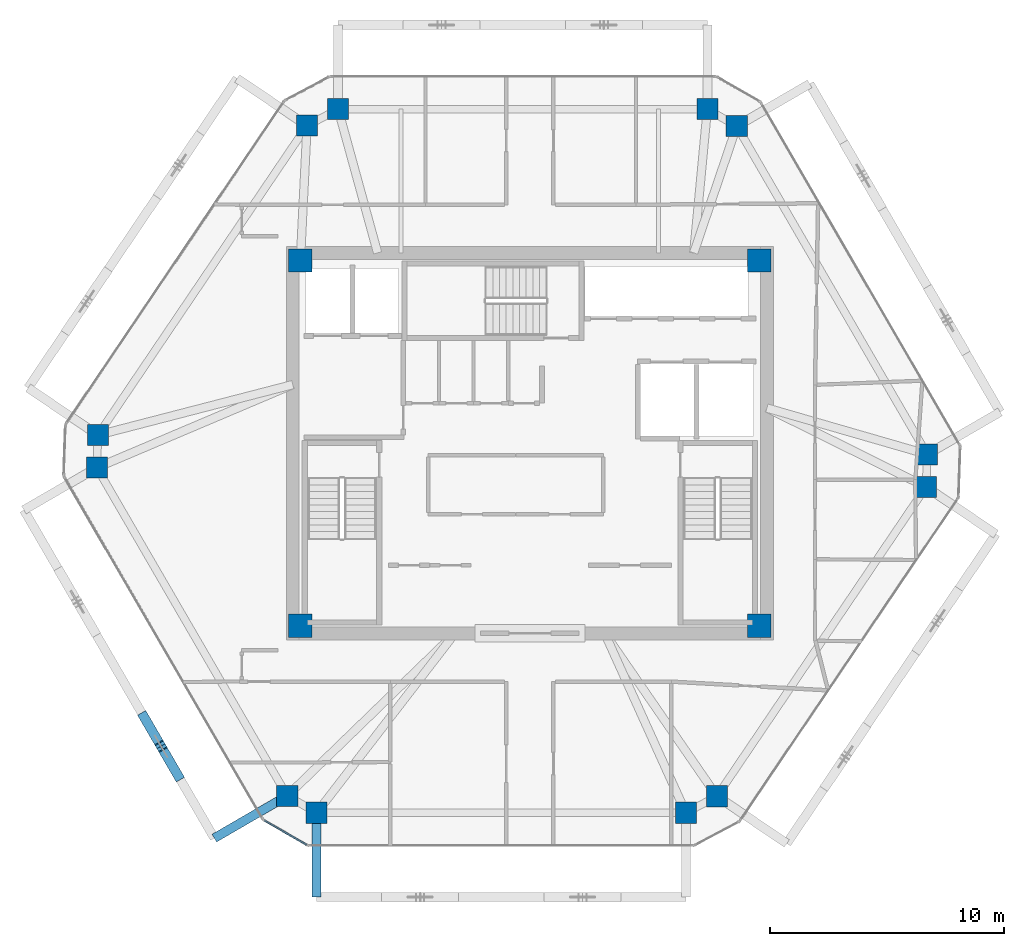
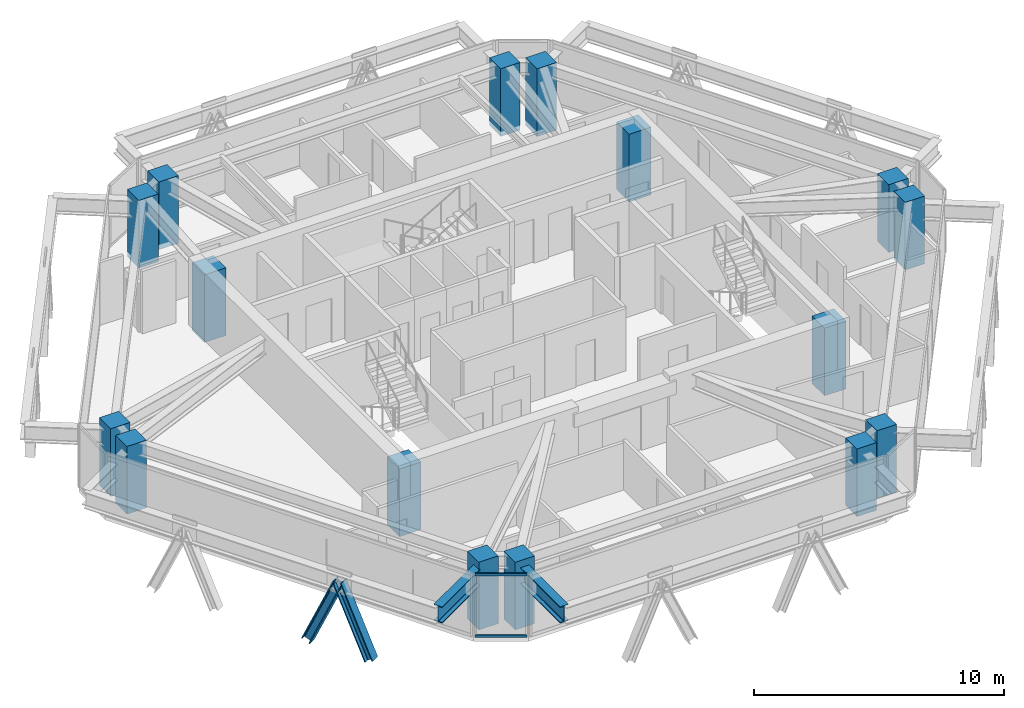
# One storey, part 1 of 13: 16 columns, 4 members, 2 beams, 1 element without a shape of its own.
"""IFC4 building model written with IfcOpenShell, lengths in metres."""

import ifcopenshell
import ifcopenshell.guid

model = None  # the IFC model being written
_history = None  # IfcOwnerHistory: only IFC2X3 demands one
_inside = {}  # id of a spatial element -> (the spatial element, [elements in it])
_under = {}  # id of a project, library or spatial element -> (it, [spatial elements below it])
_declared = {}  # id of a project -> (the project, [libraries it declares])
_typed = {}  # id of a type object -> (the type object, [elements of that type])
_made_of = {}  # id of a material, layer set ... -> (it, [elements and type objects made of it])


def new_model(schema):
    """Start an empty IFC model of exactly this schema.

    Asked for "IFC4X3", IfcOpenShell would pick the latest addendum, in which some entities
    have other attributes; the version numbers below select the first issue.
    IFC2X3 requires an IfcOwnerHistory on every rooted entity: one is made here for all.
    """
    global model, _history
    if schema == "IFC4X3":
        model = ifcopenshell.file(schema_version=(4, 3, 0, 0))
    else:
        model = ifcopenshell.file(schema=schema)
    _inside.clear()
    _under.clear()
    _declared.clear()
    _typed.clear()
    _made_of.clear()
    _history = None
    if model.schema == "IFC2X3":
        org = make("IfcOrganization", Name="unknown")
        user = make(
            "IfcPersonAndOrganization",
            ThePerson=make("IfcPerson", FamilyName="unknown"),
            TheOrganization=org,
        )
        app = make(
            "IfcApplication",
            ApplicationDeveloper=org,
            Version="unknown",
            ApplicationFullName="unknown",
            ApplicationIdentifier="unknown",
        )
        _history = make(
            "IfcOwnerHistory",
            OwningUser=user,
            OwningApplication=app,
            ChangeAction="ADDED",
            CreationDate=0,
        )
    return model


def make(cls, **values):
    """One entity of the class cls with the attributes given. An attribute that is None is left unset."""
    return model.create_entity(
        cls, **{name: value for name, value in values.items() if value is not None}
    )


def rooted(cls, **values):
    """An entity with a GlobalId (a new one), such as an element, a storey or a relation."""
    return make(cls, GlobalId=ifcopenshell.guid.new(), OwnerHistory=_history, **values)


def si_unit(unit_type, name, prefix=None):
    """IfcSIUnit, for example si_unit("LENGTHUNIT", "METRE", prefix="MILLI")."""
    return make("IfcSIUnit", UnitType=unit_type, Prefix=prefix, Name=name)


def assignment(units):
    """IfcUnitAssignment: the units of a project."""
    return None if units is None else make("IfcUnitAssignment", Units=units)


def point(xyz):
    """IfcCartesianPoint."""
    return None if xyz is None else make("IfcCartesianPoint", Coordinates=xyz)


def direction(xyz):
    """IfcDirection."""
    return None if xyz is None else make("IfcDirection", DirectionRatios=xyz)


def frame(location, z_axis=None, x_axis=None):
    """IfcAxis2Placement3D, a coordinate frame: its origin and axes. An axis left out is left unset."""
    return make(
        "IfcAxis2Placement3D",
        Location=point(location),
        Axis=direction(z_axis),
        RefDirection=direction(x_axis),
    )


def frame_2d(location, x_axis=None):
    """IfcAxis2Placement2D, a coordinate frame in the plane: its origin and x axis."""
    return make(
        "IfcAxis2Placement2D", Location=point(location), RefDirection=direction(x_axis)
    )


def origin():
    """The frame at (0, 0, 0) with its axes left unset."""
    return frame((0.0, 0.0, 0.0))


def origin_2d():
    """The frame at (0, 0) in the plane with its x axis left unset."""
    return frame_2d((0.0, 0.0))


def place(relative_to, where):
    """IfcLocalPlacement: puts the frame where relative to a parent placement (None: the world)."""
    return make(
        "IfcLocalPlacement", PlacementRelTo=relative_to, RelativePlacement=where
    )


def context(
    kind, dimensions, precision=None, world=None, true_north=None, identifier=None
):
    """IfcGeometricRepresentationContext, for example the 3D "Model" context."""
    return make(
        "IfcGeometricRepresentationContext",
        ContextIdentifier=identifier,
        ContextType=kind,
        CoordinateSpaceDimension=dimensions,
        Precision=precision,
        WorldCoordinateSystem=world,
        TrueNorth=true_north,
    )


def subcontext(parent, identifier, kind, view, scale=None):
    """IfcGeometricRepresentationSubContext, for example "Body" below "Model"."""
    return make(
        "IfcGeometricRepresentationSubContext",
        ContextIdentifier=identifier,
        ContextType=kind,
        ParentContext=parent,
        TargetScale=scale,
        TargetView=view,
    )


def project(units=None, contexts=None):
    """IfcProject with its units and contexts."""
    return rooted(
        "IfcProject",
        Name="project",
        RepresentationContexts=contexts,
        UnitsInContext=assignment(units),
    )


def spatial(cls, under=None, at=None, **own):
    """A site, building, storey or space (cls), placed at a placement, below another one or the project."""
    s = rooted(cls, ObjectPlacement=at, **own)
    if under is not None:
        _under.setdefault(under.id(), (under, []))[1].append(s)
    return s


def profile(cls, at=None, kind="AREA", **sizes):
    """A parametric profile (cls). Its sizes go by their IFC names, for example OverallWidth=200.0."""
    return make(cls, ProfileType=kind, Position=at, **sizes)


def rectangle(**sizes):
    """IfcRectangleProfileDef."""
    return profile("IfcRectangleProfileDef", **sizes)


def i_section(**sizes):
    """IfcIShapeProfileDef."""
    return profile("IfcIShapeProfileDef", **sizes)


def extrude(swept, where, along, depth):
    """IfcExtrudedAreaSolid: the profile swept, set in the frame where, extruded along a direction by depth."""
    return make(
        "IfcExtrudedAreaSolid",
        SweptArea=swept,
        Position=where,
        ExtrudedDirection=direction(along),
        Depth=depth,
    )


def shape(context_of_items, identifier, shape_type, items):
    """IfcShapeRepresentation: the items that make up one representation, for example the "Body"."""
    return make(
        "IfcShapeRepresentation",
        ContextOfItems=context_of_items,
        RepresentationIdentifier=identifier,
        RepresentationType=shape_type,
        Items=items,
    )


def source(mapping_origin, context_of_items, identifier, shape_type, items):
    """IfcRepresentationMap: a shape defined once, which mapped items show again and again."""
    return make(
        "IfcRepresentationMap",
        MappingOrigin=mapping_origin,
        MappedRepresentation=shape(context_of_items, identifier, shape_type, items),
    )


def transform(
    local_origin,
    x_axis=None,
    y_axis=None,
    z_axis=None,
    scale=None,
    scale2=None,
    scale3=None,
    uniform=True,
):
    """IfcCartesianTransformationOperator3D, or its non-uniform kind. x_axis, y_axis, z_axis: its Axis1, 2, 3."""
    if uniform:
        return make(
            "IfcCartesianTransformationOperator3D",
            Axis1=direction(x_axis),
            Axis2=direction(y_axis),
            LocalOrigin=point(local_origin),
            Scale=scale,
            Axis3=direction(z_axis),
        )
    return make(
        "IfcCartesianTransformationOperator3DnonUniform",
        Axis1=direction(x_axis),
        Axis2=direction(y_axis),
        LocalOrigin=point(local_origin),
        Scale=scale,
        Axis3=direction(z_axis),
        Scale2=scale2,
        Scale3=scale3,
    )


def mapped(mapping_source, mapping_target):
    """IfcMappedItem: shows the shape of a source again, moved by a transform."""
    return make(
        "IfcMappedItem", MappingSource=mapping_source, MappingTarget=mapping_target
    )


def material(Name=None, Category=None):
    """IfcMaterial."""
    return make("IfcMaterial", Name=Name, Category=Category)


def layer(
    of_material, thickness, ventilated=None, Name=None, Category=None, Priority=None
):
    """IfcMaterialLayer: one layer of a wall or slab, of a material (None: an air gap)."""
    return make(
        "IfcMaterialLayer",
        Material=of_material,
        LayerThickness=thickness,
        IsVentilated=ventilated,
        Name=Name,
        Category=Category,
        Priority=Priority,
    )


def layer_set(layers, Name=None):
    """IfcMaterialLayerSet."""
    return make("IfcMaterialLayerSet", MaterialLayers=layers, LayerSetName=Name)


def material_profile(
    of_material, cross_section, Name=None, Category=None, Priority=None
):
    """IfcMaterialProfile: a cross section and its material."""
    return make(
        "IfcMaterialProfile",
        Name=Name,
        Material=of_material,
        Profile=cross_section,
        Priority=Priority,
        Category=Category,
    )


def profile_set(profiles, Name=None, composite=None):
    """IfcMaterialProfileSet."""
    return make(
        "IfcMaterialProfileSet",
        Name=Name,
        MaterialProfiles=profiles,
        CompositeProfile=composite,
    )


def made_of(thing, what):
    """Note that an element or type object is made of a material, layer set ...; save() writes the relation."""
    if what is not None:
        _made_of.setdefault(what.id(), (what, []))[1].append(thing)
    return thing


def type_object(cls, material=None, **own):
    """A type object (cls), such as IfcWallType, which elements share."""
    return made_of(rooted(cls, **own), material)


def type_shapes(of_type, sources):
    """Give a type object the sources (RepresentationMaps) that its elements show as mapped items."""
    of_type.RepresentationMaps = sources


def element(
    cls,
    number,
    at=None,
    inside=None,
    cuts=None,
    type_object=None,
    material=None,
    context=None,
    identifier="Body",
    shape_type=None,
    held_by="IfcProductDefinitionShape",
    body=None,
    shapes=None,
    **own,
):
    """One element of the class cls, such as IfcWall. Its Tag is "e" and its number.

    at: its placement. inside: the storey or other place that contains it. cuts: it is an
    opening in that element (IfcRelVoidsElement). A single representation is given by context,
    identifier, shape_type and body (its items); several are given by shapes. held_by: the class
    of the entity that holds the representations. save() writes the other relations.
    """
    e = rooted(cls, Tag="e%d" % number, ObjectPlacement=at, **own)
    if body is not None:
        shapes = [shape(context, identifier, shape_type, body)]
    if shapes is not None:
        e.Representation = make(held_by, Representations=shapes)
    if inside is not None:
        _inside.setdefault(inside.id(), (inside, []))[1].append(e)
    if cuts is not None:
        rooted(
            "IfcRelVoidsElement", RelatingBuildingElement=cuts, RelatedOpeningElement=e
        )
    if type_object is not None:
        _typed.setdefault(type_object.id(), (type_object, []))[1].append(e)
    return made_of(e, material)


def aggregate(whole, parts):
    """IfcRelAggregates: a whole, such as a stair, and the parts it consists of."""
    return rooted("IfcRelAggregates", RelatingObject=whole, RelatedObjects=parts)


def save(model, path):
    """Write the relations noted so far, then the file.

    IfcRelAggregates (storeys below a building ...), IfcRelContainedInSpatialStructure (elements
    in a storey), IfcRelDefinesByType, IfcRelAssociatesMaterial and IfcRelDeclares: one each for
    every whole, place, type object, material and project.
    """
    for whole, parts in _under.values():
        aggregate(whole, parts)
    for where, things in _inside.values():
        rooted(
            "IfcRelContainedInSpatialStructure",
            RelatedElements=things,
            RelatingStructure=where,
        )
    for kind, things in _typed.values():
        rooted("IfcRelDefinesByType", RelatedObjects=things, RelatingType=kind)
    for what, things in _made_of.values():
        rooted("IfcRelAssociatesMaterial", RelatedObjects=things, RelatingMaterial=what)
    for by, libraries in _declared.values():
        rooted("IfcRelDeclares", RelatingContext=by, RelatedDefinitions=libraries)
    model.write(path)


model = new_model("IFC4")

# Units and contexts
model_context = context("Model", 3, precision=1e-05, world=origin(), true_north=direction((0.0, 1.0)))
body_context = subcontext(model_context, "Body", "Model", "MODEL_VIEW")
ifc_project = project(units=[si_unit("LENGTHUNIT", "METRE"), si_unit("AREAUNIT", "SQUARE_METRE"), si_unit("VOLUMEUNIT", "CUBIC_METRE"), si_unit("PLANEANGLEUNIT", "RADIAN"), si_unit("MASSUNIT", "GRAM", prefix="KILO")], contexts=[model_context])

# Site, building, storey
site_placement = place(None, origin())
site = spatial("IfcSite", under=ifc_project, at=site_placement, CompositionType="ELEMENT")
building_placement = place(site_placement, origin())
building = spatial("IfcBuilding", under=site, at=building_placement, Name="Durnholm Broadcast Tower", CompositionType="ELEMENT")
storey_placement = place(building_placement, frame((0.0, 0.0, 234.800048828125)))
storey = spatial("IfcBuildingStorey", under=building, at=storey_placement, Name="L65", CompositionType="ELEMENT", Elevation=234.800048828125)

# Columns
ifc_material_1 = material(Name="Concrete C70/85", Category="concrete")
ifc_material_profile_1 = material_profile(ifc_material_1, rectangle(XDim=1.0, YDim=1.0, at=origin_2d()), Name="RC1000X1000")
ifc_profile_set_1 = profile_set([ifc_material_profile_1], Name="Concrete C70/85")
column_type_1 = type_object("IfcColumnType", Name="COL-CC-1000", PredefinedType="COLUMN", material=ifc_profile_set_1)
shared_shape_1 = source(origin(), body_context, "Body", "SweptSolid", [
    extrude(rectangle(XDim=1.0, YDim=1.0, at=origin_2d()), origin(), (0.0, 0.0, 1.0), 3.300048828125),
])
type_shapes(column_type_1, [shared_shape_1])
for number, where, z_axis, x_axis, name in (
    (1, (-9.800048828125, -7.800048828125, -0.239990234375), (0.0, 0.0, 1.0), (1.0, 0.0, 0.0), "L65 core corner column 1"),
    (2, (9.800048828125, -7.800048828125, -0.239990234375), (0.0, 0.0, 1.0), (1.0, 0.0, 0.0), "L65 core corner column 2"),
    (3, (9.800048828125, 7.800048828125, -0.239990234375), (0.0, 0.0, 1.0), (1.0, 0.0, 0.0), "L65 core corner column 3"),
    (4, (-9.800048828125, 7.800048828125, -0.239990234375), (0.0, 0.0, 1.0), (1.0, 0.0, 0.0), "L65 core corner column 4"),
):
    element("IfcColumn", number, at=place(storey_placement, frame(where, z_axis=z_axis, x_axis=x_axis)), inside=storey, type_object=column_type_1, Name=name, PredefinedType="COLUMN", context=body_context, shape_type="MappedRepresentation", body=[
        mapped(shared_shape_1, transform((0.0, 0.0, 0.0), x_axis=(1.0, 0.0, 0.0), y_axis=(0.0, 1.0, 0.0), z_axis=(0.0, 0.0, 1.0), scale=1.0)),
    ])
ifc_material_profile_2 = material_profile(ifc_material_1, rectangle(XDim=0.89990234375, YDim=0.89990234375, at=origin_2d()), Name="RC900X900")
ifc_profile_set_2 = profile_set([ifc_material_profile_2], Name="Concrete C70/85")
column_type_2 = type_object("IfcColumnType", Name="COL-CC-900", PredefinedType="COLUMN", material=ifc_profile_set_2)
shared_shape_2 = source(origin(), body_context, "Body", "SweptSolid", [
    extrude(rectangle(XDim=0.89990234375, YDim=0.89990234375, at=origin_2d()), origin(), (0.0, 0.0, 1.0), 3.300048828125),
])
type_shapes(column_type_2, [shared_shape_2])
for number, where, z_axis, x_axis, name in (
    (5, (-10.361328125, -15.061767578125, -0.239990234375), (0.0, 0.0, 1.0), (1.0, 0.0, 0.0), "L65 perimeter hexagonal tube column 01"),
    (6, (-18.494384765625, -1.0478515625, -0.239990234375), (0.0, 0.0, 1.0), (1.0, 0.0, 0.0), "L65 perimeter hexagonal tube column 02"),
    (7, (-18.4462890625, 0.345947265625, -0.239990234375), (0.0, 0.0, 1.0), (1.0, 0.0, 0.0), "L65 perimeter hexagonal tube column 03"),
    (8, (-9.514892578125, 13.557373046875, -0.239990234375), (0.0, 0.0, 1.0), (1.0, 0.0, 0.0), "L65 perimeter hexagonal tube column 04"),
    (9, (-8.187744140625, 14.261962890625, -0.239990234375), (0.0, 0.0, 1.0), (1.0, 0.0, 0.0), "L65 perimeter hexagonal tube column 05"),
    (10, (7.57958984375, 14.261962890625, -0.239990234375), (0.0, 0.0, 1.0), (1.0, 0.0, 0.0), "L65 perimeter hexagonal tube column 06"),
    (11, (8.83740234375, 13.53759765625, -0.239990234375), (0.0, 0.0, 1.0), (1.0, 0.0, 0.0), "L65 perimeter hexagonal tube column 07"),
    (12, (16.97021484375, -0.47607421875, -0.239990234375), (0.0, 0.0, 1.0), (1.0, 0.0, 0.0), "L65 perimeter hexagonal tube column 08"),
    (13, (16.92236328125, -1.869873046875, -0.239990234375), (0.0, 0.0, 1.0), (1.0, 0.0, 0.0), "L65 perimeter hexagonal tube column 09"),
    (14, (7.990966796875, -15.081298828125, -0.239990234375), (0.0, 0.0, 1.0), (1.0, 0.0, 0.0), "L65 perimeter hexagonal tube column 10"),
    (15, (6.663818359375, -15.785888671875, -0.239990234375), (0.0, 0.0, 1.0), (1.0, 0.0, 0.0), "L65 perimeter hexagonal tube column 11"),
    (16, (-9.103759765625, -15.785888671875, -0.239990234375), (0.0, 0.0, 1.0), (1.0, 0.0, 0.0), "L65 perimeter hexagonal tube column 12"),
):
    element("IfcColumn", number, at=place(storey_placement, frame(where, z_axis=z_axis, x_axis=x_axis)), inside=storey, type_object=column_type_2, Name=name, PredefinedType="COLUMN", context=body_context, shape_type="MappedRepresentation", body=[
        mapped(shared_shape_2, transform((0.0, 0.0, 0.0), x_axis=(1.0, 0.0, 0.0), y_axis=(0.0, 1.0, 0.0), z_axis=(0.0, 0.0, 1.0), scale=1.0)),
    ])

# Beams
ifc_material_2 = material(Name="Steel ASTM A992 Grade 50", Category="steel")
ifc_material_profile_3 = material_profile(ifc_material_2, i_section(OverallWidth=0.385009765625, OverallDepth=0.802978515625, WebThickness=0.023681640625, FlangeThickness=0.0419921875, FilletRadius=0.032958984375, at=origin_2d()), Name="W30X261")
ifc_profile_set_3 = profile_set([ifc_material_profile_3], Name="Steel ASTM A992 Grade 50")
beam_type = type_object("IfcBeamType", Name="BM-EXO-TIE", PredefinedType="USERDEFINED", material=ifc_profile_set_3)
shared_shape_3 = source(origin(), body_context, "Body", "SweptSolid", [
    extrude(i_section(OverallWidth=0.385009765625, OverallDepth=0.802978515625, WebThickness=0.023681640625, FlangeThickness=0.0419921875, FilletRadius=0.032958984375, at=origin_2d()), origin(), (0.0, 0.0, 1.0), 3.4560546875),
])
type_shapes(beam_type, [shared_shape_3])
for number, where, z_axis, x_axis, name in (
    (17, (-9.103759765625, -15.929931640625, 2.30859375), (0.0, -1.0, 0.0), (1.0, 0.0, 0.0), "L65 exoskeleton stand-off tie bracket F1.1"),
    (18, (-10.48583984375, -15.134033203125, 2.30859375), (-0.864924479231, -0.501902027518, 0.0), (0.501902027518, -0.864924479231, 0.0), "L65 exoskeleton stand-off tie bracket F6.2"),
):
    element("IfcBeam", number, at=place(storey_placement, frame(where, z_axis=z_axis, x_axis=x_axis)), inside=storey, type_object=beam_type, Name=name, ObjectType="GIRDER", PredefinedType="USERDEFINED", context=body_context, shape_type="MappedRepresentation", body=[
        mapped(shared_shape_3, transform((0.0, 0.0, 0.0), x_axis=(1.0, 0.0, 0.0), y_axis=(0.0, 1.0, 0.0), z_axis=(0.0, 0.0, 1.0), scale=1.0)),
    ])

# Members
ifc_material_3 = material(Name="Steel ASTM A913 Grade 65", Category="steel")
ifc_material_profile_4 = material_profile(ifc_material_3, i_section(OverallWidth=0.40625, OverallDepth=0.416015625, WebThickness=0.02978515625, FlangeThickness=0.048095703125, FilletRadius=0.030517578125, at=origin_2d()), Name="W14X257")
ifc_profile_set_4 = profile_set([ifc_material_profile_4], Name="Steel ASTM A913 Grade 65")
member_type_1 = type_object("IfcMemberType", Name="STL-DG-W14X257", PredefinedType="BRACE", material=ifc_profile_set_4)
shared_shape_4 = source(origin(), body_context, "Body", "SweptSolid", [
    extrude(i_section(OverallWidth=0.40625, OverallDepth=0.416015625, WebThickness=0.02978515625, FlangeThickness=0.048095703125, FilletRadius=0.030517578125, at=origin_2d()), origin(), (0.0, 0.0, 1.0), 3.60791015625),
])
type_shapes(member_type_1, [shared_shape_4])
for number, where, z_axis, x_axis, name in (
    (19, (-16.484130859375, -11.68359375, -0.991455078125), (0.202871189729, -0.349577240207, 0.914679743685), (0.864906184135, 0.501933554014, 0.0), "L65 stand-off diagrid brace F6.D2.1"),
    (20, (-15.020263671875, -14.2060546875, -0.991455078125), (-0.202871189729, 0.349577240207, 0.914679743685), (-0.864906184135, -0.501933554014, 0.0), "L65 stand-off diagrid brace F6.D2.2"),
):
    element("IfcMember", number, at=place(storey_placement, frame(where, z_axis=z_axis, x_axis=x_axis)), inside=storey, type_object=member_type_1, Name=name, PredefinedType="BRACE", context=body_context, shape_type="MappedRepresentation", body=[
        mapped(shared_shape_4, transform((0.0, 0.0, 0.0), x_axis=(1.0, 0.0, 0.0), y_axis=(0.0, 1.0, 0.0), z_axis=(0.0, 0.0, 1.0), scale=1.0)),
    ])

# Curtain wall, members
ifc_material_4 = material(Name="Aluminium and Solar Control IGU", Category="aluminium")
ifc_layer = layer(ifc_material_4, 0.1650390625)
ifc_layer_set = layer_set([ifc_layer], Name="Aluminium and Solar Control IGU")
curtain_wall_type = type_object("IfcCurtainWallType", Name="CW-SYS-5", PredefinedType="NOTDEFINED", material=ifc_layer_set)
curtain_wall_placement = place(storey_placement, origin())
curtain_wall = element("IfcCurtainWall", 21, at=curtain_wall_placement, inside=storey, type_object=curtain_wall_type, Name="L65 curtain wall CW-CORNER CW-L65-CRN-11", PredefinedType="NOTDEFINED")
ifc_material_5 = material(Name="Aluminium 6063-T6", Category="aluminium")
ifc_material_profile_5 = material_profile(ifc_material_5, rectangle(XDim=0.06494140625, YDim=0.1298828125, at=origin_2d()), Name="CWT65X130")
ifc_profile_set_5 = profile_set([ifc_material_profile_5], Name="Aluminium 6063-T6")
member_type_2 = type_object("IfcMemberType", Name="CW-SYS-5-TRN", PredefinedType="USERDEFINED", material=ifc_profile_set_5)
shared_shape_5 = source(origin(), body_context, "Body", "SweptSolid", [
    extrude(rectangle(XDim=0.06494140625, YDim=0.1298828125, at=origin_2d()), origin(), (0.0, 0.0, 1.0), 2.06982421875),
])
type_shapes(member_type_2, [shared_shape_5])
member_1_placement = place(storey_placement, frame((-9.534423828125, -17.153564453125, 0.032470703125), z_axis=(-0.866576086718, 0.499044973854, 0.0), x_axis=(-0.499044973854, -0.866576086718, 0.0)))
member_1 = element("IfcMember", 22, at=member_1_placement, type_object=member_type_2, Name="CW-CORNER transom 1.1", ObjectType="TRANSOM", PredefinedType="USERDEFINED", context=body_context, shape_type="MappedRepresentation", body=[
    mapped(shared_shape_5, transform((0.0, 0.0, 0.0), x_axis=(1.0, 0.0, 0.0), y_axis=(0.0, 1.0, 0.0), z_axis=(0.0, 0.0, 1.0), scale=1.0)),
])
member_2_placement = place(storey_placement, frame((-9.534423828125, -17.153564453125, 3.02734375), z_axis=(-0.866576086718, 0.499044973854, 0.0), x_axis=(-0.499044973854, -0.866576086718, 0.0)))
member_2 = element("IfcMember", 23, at=member_2_placement, type_object=member_type_2, Name="CW-CORNER transom 1.2", ObjectType="TRANSOM", PredefinedType="USERDEFINED", context=body_context, shape_type="MappedRepresentation", body=[
    mapped(shared_shape_5, transform((0.0, 0.0, 0.0), x_axis=(1.0, 0.0, 0.0), y_axis=(0.0, 1.0, 0.0), z_axis=(0.0, 0.0, 1.0), scale=1.0)),
])
aggregate(curtain_wall, [member_1, member_2])

save(model, "model.ifc")
